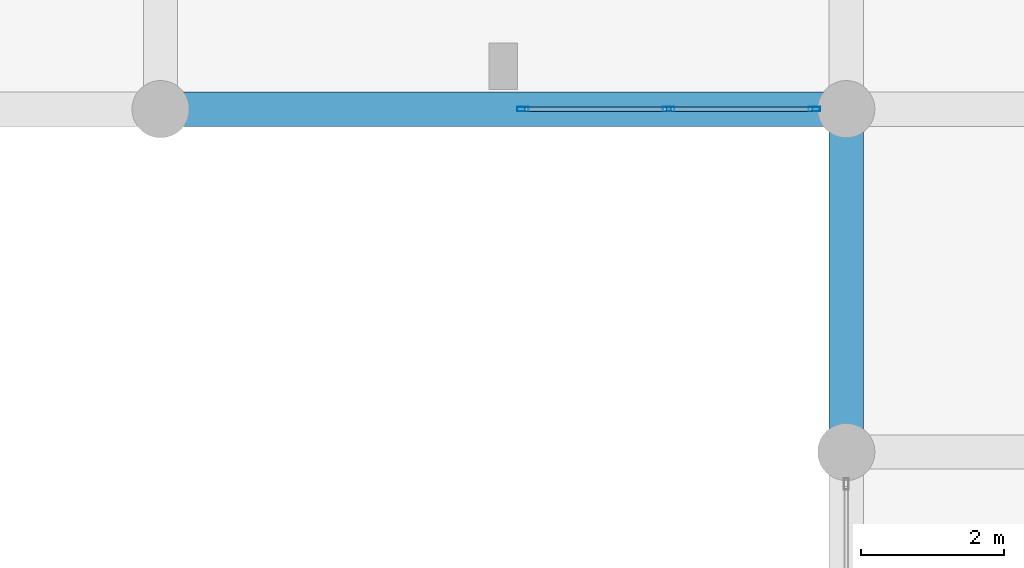
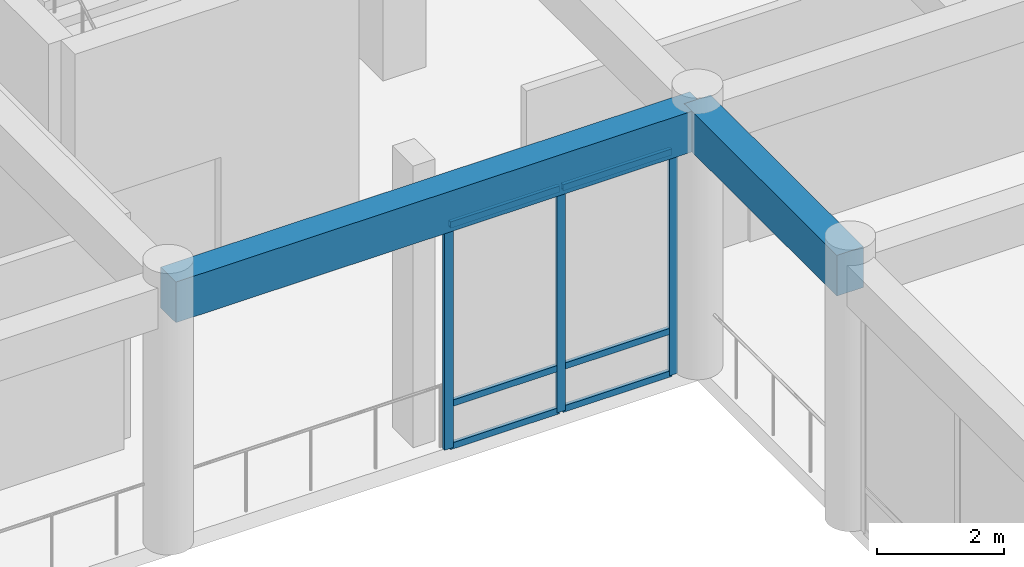
# One storey, part 44 of 134: 9 members, 2 beams, 1 element without a shape of its own.
"""IFC4 building model written with IfcOpenShell, lengths in metres."""

import ifcopenshell
import ifcopenshell.guid

model = None  # the IFC model being written
_history = None  # IfcOwnerHistory: only IFC2X3 demands one
_inside = {}  # id of a spatial element -> (the spatial element, [elements in it])
_under = {}  # id of a project, library or spatial element -> (it, [spatial elements below it])
_declared = {}  # id of a project -> (the project, [libraries it declares])
_typed = {}  # id of a type object -> (the type object, [elements of that type])
_made_of = {}  # id of a material, layer set ... -> (it, [elements and type objects made of it])


def new_model(schema):
    """Start an empty IFC model of exactly this schema.

    Asked for "IFC4X3", IfcOpenShell would pick the latest addendum, in which some entities
    have other attributes; the version numbers below select the first issue.
    IFC2X3 requires an IfcOwnerHistory on every rooted entity: one is made here for all.
    """
    global model, _history
    if schema == "IFC4X3":
        model = ifcopenshell.file(schema_version=(4, 3, 0, 0))
    else:
        model = ifcopenshell.file(schema=schema)
    _inside.clear()
    _under.clear()
    _declared.clear()
    _typed.clear()
    _made_of.clear()
    _history = None
    if model.schema == "IFC2X3":
        org = make("IfcOrganization", Name="unknown")
        user = make(
            "IfcPersonAndOrganization",
            ThePerson=make("IfcPerson", FamilyName="unknown"),
            TheOrganization=org,
        )
        app = make(
            "IfcApplication",
            ApplicationDeveloper=org,
            Version="unknown",
            ApplicationFullName="unknown",
            ApplicationIdentifier="unknown",
        )
        _history = make(
            "IfcOwnerHistory",
            OwningUser=user,
            OwningApplication=app,
            ChangeAction="ADDED",
            CreationDate=0,
        )
    return model


def make(cls, **values):
    """One entity of the class cls with the attributes given. An attribute that is None is left unset."""
    return model.create_entity(
        cls, **{name: value for name, value in values.items() if value is not None}
    )


def rooted(cls, **values):
    """An entity with a GlobalId (a new one), such as an element, a storey or a relation."""
    return make(cls, GlobalId=ifcopenshell.guid.new(), OwnerHistory=_history, **values)


def si_unit(unit_type, name, prefix=None):
    """IfcSIUnit, for example si_unit("LENGTHUNIT", "METRE", prefix="MILLI")."""
    return make("IfcSIUnit", UnitType=unit_type, Prefix=prefix, Name=name)


def assignment(units):
    """IfcUnitAssignment: the units of a project."""
    return None if units is None else make("IfcUnitAssignment", Units=units)


def point(xyz):
    """IfcCartesianPoint."""
    return None if xyz is None else make("IfcCartesianPoint", Coordinates=xyz)


def direction(xyz):
    """IfcDirection."""
    return None if xyz is None else make("IfcDirection", DirectionRatios=xyz)


def frame(location, z_axis=None, x_axis=None):
    """IfcAxis2Placement3D, a coordinate frame: its origin and axes. An axis left out is left unset."""
    return make(
        "IfcAxis2Placement3D",
        Location=point(location),
        Axis=direction(z_axis),
        RefDirection=direction(x_axis),
    )


def frame_2d(location, x_axis=None):
    """IfcAxis2Placement2D, a coordinate frame in the plane: its origin and x axis."""
    return make(
        "IfcAxis2Placement2D", Location=point(location), RefDirection=direction(x_axis)
    )


def origin():
    """The frame at (0, 0, 0) with its axes left unset."""
    return frame((0.0, 0.0, 0.0))


def origin_2d():
    """The frame at (0, 0) in the plane with its x axis left unset."""
    return frame_2d((0.0, 0.0))


def place(relative_to, where):
    """IfcLocalPlacement: puts the frame where relative to a parent placement (None: the world)."""
    return make(
        "IfcLocalPlacement", PlacementRelTo=relative_to, RelativePlacement=where
    )


def context(
    kind, dimensions, precision=None, world=None, true_north=None, identifier=None
):
    """IfcGeometricRepresentationContext, for example the 3D "Model" context."""
    return make(
        "IfcGeometricRepresentationContext",
        ContextIdentifier=identifier,
        ContextType=kind,
        CoordinateSpaceDimension=dimensions,
        Precision=precision,
        WorldCoordinateSystem=world,
        TrueNorth=true_north,
    )


def subcontext(parent, identifier, kind, view, scale=None):
    """IfcGeometricRepresentationSubContext, for example "Body" below "Model"."""
    return make(
        "IfcGeometricRepresentationSubContext",
        ContextIdentifier=identifier,
        ContextType=kind,
        ParentContext=parent,
        TargetScale=scale,
        TargetView=view,
    )


def project(units=None, contexts=None):
    """IfcProject with its units and contexts."""
    return rooted(
        "IfcProject",
        Name="project",
        RepresentationContexts=contexts,
        UnitsInContext=assignment(units),
    )


def spatial(cls, under=None, at=None, **own):
    """A site, building, storey or space (cls), placed at a placement, below another one or the project."""
    s = rooted(cls, ObjectPlacement=at, **own)
    if under is not None:
        _under.setdefault(under.id(), (under, []))[1].append(s)
    return s


def profile(cls, at=None, kind="AREA", **sizes):
    """A parametric profile (cls). Its sizes go by their IFC names, for example OverallWidth=200.0."""
    return make(cls, ProfileType=kind, Position=at, **sizes)


def rectangle(**sizes):
    """IfcRectangleProfileDef."""
    return profile("IfcRectangleProfileDef", **sizes)


def hollow_rectangle(**sizes):
    """IfcRectangleHollowProfileDef."""
    return profile("IfcRectangleHollowProfileDef", **sizes)


def extrude(swept, where, along, depth):
    """IfcExtrudedAreaSolid: the profile swept, set in the frame where, extruded along a direction by depth."""
    return make(
        "IfcExtrudedAreaSolid",
        SweptArea=swept,
        Position=where,
        ExtrudedDirection=direction(along),
        Depth=depth,
    )


def shape(context_of_items, identifier, shape_type, items):
    """IfcShapeRepresentation: the items that make up one representation, for example the "Body"."""
    return make(
        "IfcShapeRepresentation",
        ContextOfItems=context_of_items,
        RepresentationIdentifier=identifier,
        RepresentationType=shape_type,
        Items=items,
    )


def material(Name=None, Category=None):
    """IfcMaterial."""
    return make("IfcMaterial", Name=Name, Category=Category)


def layer(
    of_material, thickness, ventilated=None, Name=None, Category=None, Priority=None
):
    """IfcMaterialLayer: one layer of a wall or slab, of a material (None: an air gap)."""
    return make(
        "IfcMaterialLayer",
        Material=of_material,
        LayerThickness=thickness,
        IsVentilated=ventilated,
        Name=Name,
        Category=Category,
        Priority=Priority,
    )


def layer_set(layers, Name=None):
    """IfcMaterialLayerSet."""
    return make("IfcMaterialLayerSet", MaterialLayers=layers, LayerSetName=Name)


def material_profile(
    of_material, cross_section, Name=None, Category=None, Priority=None
):
    """IfcMaterialProfile: a cross section and its material."""
    return make(
        "IfcMaterialProfile",
        Name=Name,
        Material=of_material,
        Profile=cross_section,
        Priority=Priority,
        Category=Category,
    )


def profile_set(profiles, Name=None, composite=None):
    """IfcMaterialProfileSet."""
    return make(
        "IfcMaterialProfileSet",
        Name=Name,
        MaterialProfiles=profiles,
        CompositeProfile=composite,
    )


def made_of(thing, what):
    """Note that an element or type object is made of a material, layer set ...; save() writes the relation."""
    if what is not None:
        _made_of.setdefault(what.id(), (what, []))[1].append(thing)
    return thing


def type_object(cls, material=None, **own):
    """A type object (cls), such as IfcWallType, which elements share."""
    return made_of(rooted(cls, **own), material)


def element(
    cls,
    number,
    at=None,
    inside=None,
    cuts=None,
    type_object=None,
    material=None,
    context=None,
    identifier="Body",
    shape_type=None,
    held_by="IfcProductDefinitionShape",
    body=None,
    shapes=None,
    **own,
):
    """One element of the class cls, such as IfcWall. Its Tag is "e" and its number.

    at: its placement. inside: the storey or other place that contains it. cuts: it is an
    opening in that element (IfcRelVoidsElement). A single representation is given by context,
    identifier, shape_type and body (its items); several are given by shapes. held_by: the class
    of the entity that holds the representations. save() writes the other relations.
    """
    e = rooted(cls, Tag="e%d" % number, ObjectPlacement=at, **own)
    if body is not None:
        shapes = [shape(context, identifier, shape_type, body)]
    if shapes is not None:
        e.Representation = make(held_by, Representations=shapes)
    if inside is not None:
        _inside.setdefault(inside.id(), (inside, []))[1].append(e)
    if cuts is not None:
        rooted(
            "IfcRelVoidsElement", RelatingBuildingElement=cuts, RelatedOpeningElement=e
        )
    if type_object is not None:
        _typed.setdefault(type_object.id(), (type_object, []))[1].append(e)
    return made_of(e, material)


def aggregate(whole, parts):
    """IfcRelAggregates: a whole, such as a stair, and the parts it consists of."""
    return rooted("IfcRelAggregates", RelatingObject=whole, RelatedObjects=parts)


def save(model, path):
    """Write the relations noted so far, then the file.

    IfcRelAggregates (storeys below a building ...), IfcRelContainedInSpatialStructure (elements
    in a storey), IfcRelDefinesByType, IfcRelAssociatesMaterial and IfcRelDeclares: one each for
    every whole, place, type object, material and project.
    """
    for whole, parts in _under.values():
        aggregate(whole, parts)
    for where, things in _inside.values():
        rooted(
            "IfcRelContainedInSpatialStructure",
            RelatedElements=things,
            RelatingStructure=where,
        )
    for kind, things in _typed.values():
        rooted("IfcRelDefinesByType", RelatedObjects=things, RelatingType=kind)
    for what, things in _made_of.values():
        rooted("IfcRelAssociatesMaterial", RelatedObjects=things, RelatingMaterial=what)
    for by, libraries in _declared.values():
        rooted("IfcRelDeclares", RelatingContext=by, RelatedDefinitions=libraries)
    model.write(path)


model = new_model("IFC4")

# Units and contexts
model_context = context("Model", 3, precision=1e-05, world=origin(), true_north=direction((0.0, 1.0)))
body_context = subcontext(model_context, "Body", "Model", "MODEL_VIEW")
ifc_project = project(units=[si_unit("LENGTHUNIT", "METRE"), si_unit("AREAUNIT", "SQUARE_METRE"), si_unit("VOLUMEUNIT", "CUBIC_METRE"), si_unit("PLANEANGLEUNIT", "RADIAN"), si_unit("MASSUNIT", "GRAM", prefix="KILO")], contexts=[model_context])

# Site, building, storey
site_placement = place(None, origin())
site = spatial("IfcSite", under=ifc_project, at=site_placement, CompositionType="ELEMENT")
building_placement = place(site_placement, origin())
building = spatial("IfcBuilding", under=site, at=building_placement, Name="Nakhvara Creek Congress Hotel", CompositionType="ELEMENT")
storey_placement = place(building_placement, frame((0.0, 0.0, 6.0)))
storey = spatial("IfcBuildingStorey", under=building, at=storey_placement, Name="L01", CompositionType="ELEMENT", Elevation=6.0)

# Beams
ifc_material_1 = material(Name="Concrete C40/50", Category="concrete")
ifc_material_profile_1 = material_profile(ifc_material_1, rectangle(XDim=0.47998046875, YDim=0.780029296875, at=origin_2d()), Name="RC-BM 480x780", Category="LoadBearing")
ifc_profile_set_1 = profile_set([ifc_material_profile_1], Name="Concrete C40/50")
beam_type = type_object("IfcBeamType", Name="BM-RC-480X780", PredefinedType="BEAM", material=ifc_profile_set_1)
beam_1_placement = place(storey_placement, frame((115.199951171875, 76.800048828125, 4.7099609375), z_axis=(1.0, 0.0, 0.0), x_axis=(0.0, 1.0, 0.0)))
element("IfcBeam", 1, at=beam_1_placement, inside=storey, type_object=beam_type, Name="Beam B13-L01-1214", PredefinedType="BEAM", context=body_context, shape_type="SweptSolid", body=[
    extrude(rectangle(XDim=0.47998046875, YDim=0.780029296875, at=origin_2d()), origin(), (0.0, 0.0, 1.0), 9.60009765625),
])
beam_2_placement = place(storey_placement, frame((124.800048828125, 72.0, 4.7099609375), z_axis=(0.0, 1.0, 0.0), x_axis=(-1.0, 0.0, 0.0)))
element("IfcBeam", 2, at=beam_2_placement, inside=storey, type_object=beam_type, Name="Beam B13-L01-1231", PredefinedType="BEAM", context=body_context, shape_type="SweptSolid", body=[
    extrude(rectangle(XDim=0.47998046875, YDim=0.780029296875, at=origin_2d()), origin(), (0.0, 0.0, 1.0), 4.800048828125),
])

# Curtain wall, members
ifc_material_2 = material(Name="Bronze-anodised aluminium AW-6063-T6 and double-silver low-E glass", Category="aluminium")
ifc_layer = layer(ifc_material_2, 0.199951171875)
ifc_layer_set = layer_set([ifc_layer], Name="Bronze-anodised aluminium AW-6063-T6 and double-silver low-E glass")
curtain_wall_type = type_object("IfcCurtainWallType", Name="CW-POD-STICK", PredefinedType="NOTDEFINED", material=ifc_layer_set)
curtain_wall_placement = place(storey_placement, origin())
curtain_wall = element("IfcCurtainWall", 3, at=curtain_wall_placement, inside=storey, type_object=curtain_wall_type, Name="Curtain Wall CW026", PredefinedType="NOTDEFINED")
ifc_material_3 = material(Name="Bronze-anodised aluminium AW-6063-T6", Category="aluminium")
ifc_material_profile_2 = material_profile(ifc_material_3, hollow_rectangle(XDim=0.06494140625, YDim=0.159912109375, WallThickness=0.00390625, at=origin_2d()), Name="ALU-MULL 65x160x4", Category="LoadBearing")
ifc_profile_set_2 = profile_set([ifc_material_profile_2], Name="Bronze-anodised aluminium AW-6063-T6")
member_type_1 = type_object("IfcMemberType", Name="CW-MULL-160", PredefinedType="MULLION", material=ifc_profile_set_2)
member_1_placement = place(storey_placement, frame((124.3525390625, 76.800048828125, 0.0), z_axis=(0.0, 0.0, 1.0), x_axis=(0.0, -1.0, 0.0)))
member_1 = element("IfcMember", 4, at=member_1_placement, type_object=member_type_1, Name="CW026 mullion 1", PredefinedType="MULLION", context=body_context, shape_type="SweptSolid", body=[
    extrude(hollow_rectangle(XDim=0.06494140625, YDim=0.159912109375, WallThickness=0.00390625, at=origin_2d()), origin(), (0.0, 0.0, 1.0), 4.31201171875),
])
member_2_placement = place(storey_placement, frame((122.3125, 76.800048828125, 0.0), z_axis=(0.0, 0.0, 1.0), x_axis=(0.0, -1.0, 0.0)))
member_2 = element("IfcMember", 5, at=member_2_placement, type_object=member_type_1, Name="CW026 mullion 2", PredefinedType="MULLION", context=body_context, shape_type="SweptSolid", body=[
    extrude(hollow_rectangle(XDim=0.06494140625, YDim=0.159912109375, WallThickness=0.00390625, at=origin_2d()), origin(), (0.0, 0.0, 1.0), 4.31201171875),
])
member_3_placement = place(storey_placement, frame((120.2724609375, 76.800048828125, 0.0), z_axis=(0.0, 0.0, 1.0), x_axis=(0.0, -1.0, 0.0)))
member_3 = element("IfcMember", 6, at=member_3_placement, type_object=member_type_1, Name="CW026 mullion 3", PredefinedType="MULLION", context=body_context, shape_type="SweptSolid", body=[
    extrude(hollow_rectangle(XDim=0.06494140625, YDim=0.159912109375, WallThickness=0.00390625, at=origin_2d()), origin(), (0.0, 0.0, 1.0), 4.31201171875),
])
ifc_material_profile_3 = material_profile(ifc_material_3, hollow_rectangle(XDim=0.06494140625, YDim=0.1201171875, WallThickness=0.00390625, at=origin_2d()), Name="ALU-TRAN 65x120x4", Category="LoadBearing")
ifc_profile_set_3 = profile_set([ifc_material_profile_3], Name="Bronze-anodised aluminium AW-6063-T6")
member_type_2 = type_object("IfcMemberType", Name="CW-TRAN-120", PredefinedType="USERDEFINED", material=ifc_profile_set_3)
member_4_placement = place(storey_placement, frame((124.320068359375, 76.800048828125, 0.032470703125), z_axis=(-1.0, 0.0, 0.0), x_axis=(0.0, -1.0, 0.0)))
member_4 = element("IfcMember", 7, at=member_4_placement, type_object=member_type_2, Name="CW026 transom 1.1", ObjectType="TRANSOM", PredefinedType="USERDEFINED", context=body_context, shape_type="SweptSolid", body=[
    extrude(hollow_rectangle(XDim=0.06494140625, YDim=0.1201171875, WallThickness=0.00390625, at=origin_2d()), origin(), (0.0, 0.0, 1.0), 1.97509765625),
])
member_5_placement = place(storey_placement, frame((124.320068359375, 76.800048828125, 0.85009765625), z_axis=(-1.0, 0.0, 0.0), x_axis=(0.0, -1.0, 0.0)))
member_5 = element("IfcMember", 8, at=member_5_placement, type_object=member_type_2, Name="CW026 transom 1.2", ObjectType="TRANSOM", PredefinedType="USERDEFINED", context=body_context, shape_type="SweptSolid", body=[
    extrude(hollow_rectangle(XDim=0.06494140625, YDim=0.1201171875, WallThickness=0.00390625, at=origin_2d()), origin(), (0.0, 0.0, 1.0), 1.97509765625),
])
member_6_placement = place(storey_placement, frame((124.320068359375, 76.800048828125, 4.279541015625), z_axis=(-1.0, 0.0, 0.0), x_axis=(0.0, -1.0, 0.0)))
member_6 = element("IfcMember", 9, at=member_6_placement, type_object=member_type_2, Name="CW026 transom 1.3", ObjectType="TRANSOM", PredefinedType="USERDEFINED", context=body_context, shape_type="SweptSolid", body=[
    extrude(hollow_rectangle(XDim=0.06494140625, YDim=0.1201171875, WallThickness=0.00390625, at=origin_2d()), origin(), (0.0, 0.0, 1.0), 1.97509765625),
])
member_7_placement = place(storey_placement, frame((122.280029296875, 76.800048828125, 0.032470703125), z_axis=(-1.0, 0.0, 0.0), x_axis=(0.0, -1.0, 0.0)))
member_7 = element("IfcMember", 10, at=member_7_placement, type_object=member_type_2, Name="CW026 transom 2.1", ObjectType="TRANSOM", PredefinedType="USERDEFINED", context=body_context, shape_type="SweptSolid", body=[
    extrude(hollow_rectangle(XDim=0.06494140625, YDim=0.1201171875, WallThickness=0.00390625, at=origin_2d()), origin(), (0.0, 0.0, 1.0), 1.97509765625),
])
member_8_placement = place(storey_placement, frame((122.280029296875, 76.800048828125, 0.85009765625), z_axis=(-1.0, 0.0, 0.0), x_axis=(0.0, -1.0, 0.0)))
member_8 = element("IfcMember", 11, at=member_8_placement, type_object=member_type_2, Name="CW026 transom 2.2", ObjectType="TRANSOM", PredefinedType="USERDEFINED", context=body_context, shape_type="SweptSolid", body=[
    extrude(hollow_rectangle(XDim=0.06494140625, YDim=0.1201171875, WallThickness=0.00390625, at=origin_2d()), origin(), (0.0, 0.0, 1.0), 1.97509765625),
])
member_9_placement = place(storey_placement, frame((122.280029296875, 76.800048828125, 4.279541015625), z_axis=(-1.0, 0.0, 0.0), x_axis=(0.0, -1.0, 0.0)))
member_9 = element("IfcMember", 12, at=member_9_placement, type_object=member_type_2, Name="CW026 transom 2.3", ObjectType="TRANSOM", PredefinedType="USERDEFINED", context=body_context, shape_type="SweptSolid", body=[
    extrude(hollow_rectangle(XDim=0.06494140625, YDim=0.1201171875, WallThickness=0.00390625, at=origin_2d()), origin(), (0.0, 0.0, 1.0), 1.97509765625),
])
aggregate(curtain_wall, [member_1, member_2, member_3, member_4, member_5, member_6, member_7, member_8, member_9])

save(model, "model.ifc")
